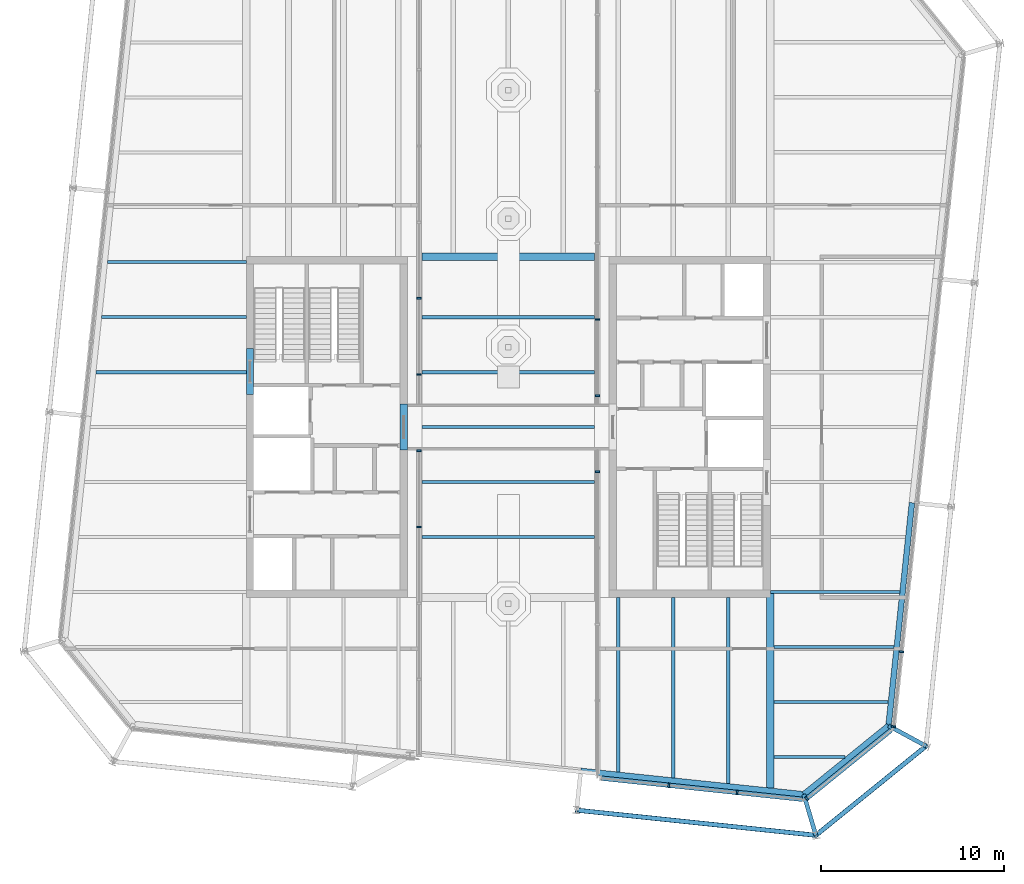
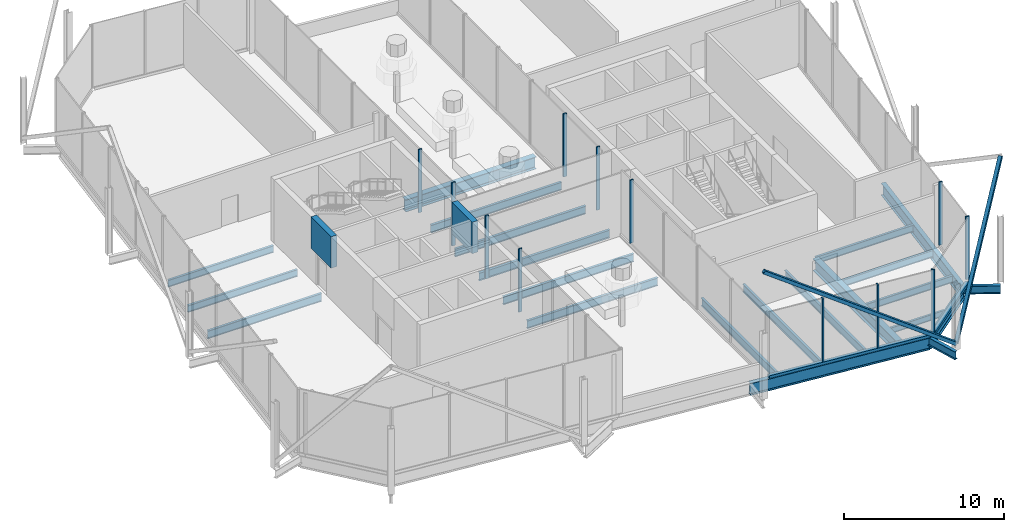
# One storey, part 4 of 14: 24 beams, 16 members, 5 elements without a shape of their own.
"""IFC4 building model written with IfcOpenShell, lengths in metres."""

from ifc_helpers import new_model, si_unit, direction, frame, origin, origin_2d, place, context, subcontext, project, spatial, rectangle, hollow_rectangle, i_section, extrude, material, layer, layer_set, material_profile, profile_set, type_object, element, aggregate, save


model = new_model("IFC4")

# Units and contexts
model_context = context("Model", 3, precision=1e-05, world=origin(), true_north=direction((0.0, 1.0)))
body_context = subcontext(model_context, "Body", "Model", "MODEL_VIEW")
ifc_project = project(units=[si_unit("LENGTHUNIT", "METRE"), si_unit("AREAUNIT", "SQUARE_METRE"), si_unit("VOLUMEUNIT", "CUBIC_METRE"), si_unit("PLANEANGLEUNIT", "RADIAN"), si_unit("MASSUNIT", "GRAM", prefix="KILO")], contexts=[model_context])

# Site, building, storey
site_placement = place(None, origin())
site = spatial("IfcSite", under=ifc_project, at=site_placement, CompositionType="ELEMENT")
building_placement = place(site_placement, origin())
building = spatial("IfcBuilding", under=site, at=building_placement, Name="Millrace Tower", CompositionType="ELEMENT")
storey_placement = place(building_placement, frame((0.0, 0.0, 342.10009765625)))
storey = spatial("IfcBuildingStorey", under=building, at=storey_placement, Name="L79", CompositionType="ELEMENT", Elevation=342.10009765625)

# Curtain wall, members
ifc_material_1 = material(Name="Aluminium and glass", Category="aluminium")
ifc_layer = layer(ifc_material_1, 0.25)
ifc_layer_set = layer_set([ifc_layer], Name="Aluminium and glass")
curtain_wall_type = type_object("IfcCurtainWallType", Name="CW-7 crown louvred enclosure", PredefinedType="NOTDEFINED", material=ifc_layer_set)
placement = place(storey_placement, origin())
curtain_wall_1 = element("IfcCurtainWall", 1, at=placement, inside=storey, type_object=curtain_wall_type, Name="Curtain wall CW-F01 L79", PredefinedType="NOTDEFINED")
ifc_material_2 = material(Name="Aluminium", Category="aluminium")
ifc_material_profile_1 = material_profile(ifc_material_2, rectangle(XDim=0.10009765625, YDim=0.25, at=origin_2d()))
ifc_profile_set_1 = profile_set([ifc_material_profile_1], Name="Aluminium")
member_type_1 = type_object("IfcMemberType", Name="CW-7 crown louvred enclosure mullion", PredefinedType="MULLION", material=ifc_profile_set_1)
member_1_placement = place(storey_placement, frame((-4.875, -5.451416015625, 0.199951171875), z_axis=(0.0, 0.0, 1.0), x_axis=(0.0, 1.0, 0.0)))
member_1 = element("IfcMember", 2, at=member_1_placement, type_object=member_type_1, Name="CW7 mullion CW-F01.4", PredefinedType="MULLION", context=body_context, shape_type="SweptSolid", body=[
    extrude(rectangle(XDim=0.10009765625, YDim=0.25, at=origin_2d()), origin(), (0.0, 0.0, 1.0), 4.800048828125),
])
member_2_placement = place(storey_placement, frame((-4.875, -1.292236328125, 0.199951171875), z_axis=(0.0, 0.0, 1.0), x_axis=(0.0, 1.0, 0.0)))
member_2 = element("IfcMember", 3, at=member_2_placement, type_object=member_type_1, Name="CW7 mullion CW-F01.5", PredefinedType="MULLION", context=body_context, shape_type="SweptSolid", body=[
    extrude(rectangle(XDim=0.10009765625, YDim=0.25, at=origin_2d()), origin(), (0.0, 0.0, 1.0), 4.800048828125),
])
member_3_placement = place(storey_placement, frame((-4.875, 2.866943359375, 0.199951171875), z_axis=(0.0, 0.0, 1.0), x_axis=(0.0, 1.0, 0.0)))
member_3 = element("IfcMember", 4, at=member_3_placement, type_object=member_type_1, Name="CW7 mullion CW-F01.6", PredefinedType="MULLION", context=body_context, shape_type="SweptSolid", body=[
    extrude(rectangle(XDim=0.10009765625, YDim=0.25, at=origin_2d()), origin(), (0.0, 0.0, 1.0), 4.800048828125),
])
member_4_placement = place(storey_placement, frame((-4.875, 7.026123046875, 0.199951171875), z_axis=(0.0, 0.0, 1.0), x_axis=(0.0, 1.0, 0.0)))
member_4 = element("IfcMember", 5, at=member_4_placement, type_object=member_type_1, Name="CW7 mullion CW-F01.7", PredefinedType="MULLION", context=body_context, shape_type="SweptSolid", body=[
    extrude(rectangle(XDim=0.10009765625, YDim=0.25, at=origin_2d()), origin(), (0.0, 0.0, 1.0), 4.800048828125),
])
aggregate(curtain_wall_1, [member_1, member_2, member_3, member_4])

curtain_wall_2 = element("IfcCurtainWall", 6, at=placement, inside=storey, type_object=curtain_wall_type, Name="Curtain wall CE-F01 L79", PredefinedType="NOTDEFINED")
member_5_placement = place(storey_placement, frame((4.875, 5.875, 0.199951171875), z_axis=(0.0, 0.0, 1.0), x_axis=(0.0, -1.0, 0.0)))
member_5 = element("IfcMember", 7, at=member_5_placement, type_object=member_type_1, Name="CW7 mullion CE-F01.6", PredefinedType="MULLION", context=body_context, shape_type="SweptSolid", body=[
    extrude(rectangle(XDim=0.10009765625, YDim=0.25, at=origin_2d()), origin(), (0.0, 0.0, 1.0), 4.800048828125),
])
member_6_placement = place(storey_placement, frame((4.875, 1.7158203125, 0.199951171875), z_axis=(0.0, 0.0, 1.0), x_axis=(0.0, -1.0, 0.0)))
member_6 = element("IfcMember", 8, at=member_6_placement, type_object=member_type_1, Name="CW7 mullion CE-F01.7", PredefinedType="MULLION", context=body_context, shape_type="SweptSolid", body=[
    extrude(rectangle(XDim=0.10009765625, YDim=0.25, at=origin_2d()), origin(), (0.0, 0.0, 1.0), 4.800048828125),
])
member_7_placement = place(storey_placement, frame((4.875, -2.443115234375, 0.199951171875), z_axis=(0.0, 0.0, 1.0), x_axis=(0.0, -1.0, 0.0)))
member_7 = element("IfcMember", 9, at=member_7_placement, type_object=member_type_1, Name="CW7 mullion CE-F01.8", PredefinedType="MULLION", context=body_context, shape_type="SweptSolid", body=[
    extrude(rectangle(XDim=0.10009765625, YDim=0.25, at=origin_2d()), origin(), (0.0, 0.0, 1.0), 4.800048828125),
])
aggregate(curtain_wall_2, [member_5, member_6, member_7])

curtain_wall_3 = element("IfcCurtainWall", 10, at=placement, inside=storey, type_object=curtain_wall_type, Name="Curtain wall CE-F02 L79", PredefinedType="NOTDEFINED")
member_8_placement = place(storey_placement, frame((8.76025390625, -19.55078125, 0.199951171875), z_axis=(0.0, 0.0, 1.0), x_axis=(0.994521900296, -0.104528416385, 0.0)))
member_8 = element("IfcMember", 11, at=member_8_placement, type_object=member_type_1, Name="CW7 mullion CE-F02.2", PredefinedType="MULLION", context=body_context, shape_type="SweptSolid", body=[
    extrude(rectangle(XDim=0.10009765625, YDim=0.25, at=origin_2d()), origin(), (0.0, 0.0, 1.0), 4.800048828125),
])
member_9_placement = place(storey_placement, frame((12.48388671875, -19.942138671875, 0.199951171875), z_axis=(0.0, 0.0, 1.0), x_axis=(0.994521900296, -0.104528416385, 0.0)))
member_9 = element("IfcMember", 12, at=member_9_placement, type_object=member_type_1, Name="CW7 mullion CE-F02.3", PredefinedType="MULLION", context=body_context, shape_type="SweptSolid", body=[
    extrude(rectangle(XDim=0.10009765625, YDim=0.25, at=origin_2d()), origin(), (0.0, 0.0, 1.0), 4.800048828125),
])

# Curtain wall, member
curtain_wall_4 = element("IfcCurtainWall", 13, at=placement, inside=storey, type_object=curtain_wall_type, Name="Curtain wall CE-F03 L79", PredefinedType="NOTDEFINED")
member_10_placement = place(storey_placement, frame((16.288330078125, -20.26953125, 0.199951171875), z_axis=(0.0, 0.0, 1.0), x_axis=(0.777146052237, 0.629320278945, 0.0)))
member_10 = element("IfcMember", 14, at=member_10_placement, type_object=member_type_1, Name="CW7 mullion CE-F03.1", PredefinedType="MULLION", context=body_context, shape_type="SweptSolid", body=[
    extrude(rectangle(XDim=0.10009765625, YDim=0.25, at=origin_2d()), origin(), (0.0, 0.0, 1.0), 4.800048828125),
])

# Curtain wall, members
curtain_wall_5 = element("IfcCurtainWall", 15, at=placement, inside=storey, type_object=curtain_wall_type, Name="Curtain wall CE-F04 L79", PredefinedType="NOTDEFINED")
member_11_placement = place(storey_placement, frame((21.0263671875, -16.34033203125, 0.199951171875), z_axis=(0.0, 0.0, 1.0), x_axis=(0.104528455196, 0.994521896217, 0.0)))
member_11 = element("IfcMember", 16, at=member_11_placement, type_object=member_type_1, Name="CW7 mullion CE-F04.1", PredefinedType="MULLION", context=body_context, shape_type="SweptSolid", body=[
    extrude(rectangle(XDim=0.10009765625, YDim=0.25, at=origin_2d()), origin(), (0.0, 0.0, 1.0), 4.800048828125),
])
member_12_placement = place(storey_placement, frame((21.454833984375, -12.2626953125, 0.199951171875), z_axis=(0.0, 0.0, 1.0), x_axis=(0.104528455196, 0.994521896217, 0.0)))
member_12 = element("IfcMember", 17, at=member_12_placement, type_object=member_type_1, Name="CW7 mullion CE-F04.2", PredefinedType="MULLION", context=body_context, shape_type="SweptSolid", body=[
    extrude(rectangle(XDim=0.10009765625, YDim=0.25, at=origin_2d()), origin(), (0.0, 0.0, 1.0), 4.800048828125),
])
aggregate(curtain_wall_5, [member_11, member_12])

# Member
ifc_material_3 = material(Name="Aluminium", Category="aluminium")
ifc_material_profile_2 = material_profile(ifc_material_3, rectangle(XDim=0.25, YDim=0.199951171875, at=origin_2d()))
ifc_profile_set_2 = profile_set([ifc_material_profile_2], Name="Aluminium")
member_type_2 = type_object("IfcMemberType", Name="CW-7 crown louvred enclosure transom", PredefinedType="USERDEFINED", material=ifc_profile_set_2)
member_13_placement = place(storey_placement, frame((5.08642578125, -19.16455078125, 0.099853515625), z_axis=(0.994520720761, -0.104539638301, 0.0), x_axis=(0.104539638301, 0.994520720761, 0.0)))
member_13 = element("IfcMember", 18, at=member_13_placement, type_object=member_type_2, Name="CW7 transom CE-F02.1", ObjectType="TRANSOM", PredefinedType="USERDEFINED", context=body_context, shape_type="SweptSolid", body=[
    extrude(rectangle(XDim=0.25, YDim=0.199951171875, at=origin_2d()), origin(), (0.0, 0.0, 1.0), 11.032470703125),
])

aggregate(curtain_wall_3, [member_8, member_9, member_13])

member_14_placement = place(storey_placement, frame((16.327392578125, -20.238037109375, 0.099853515625), z_axis=(0.77714915117, 0.629316452061, 0.0), x_axis=(-0.629316452061, 0.77714915117, 0.0)))
member_14 = element("IfcMember", 19, at=member_14_placement, type_object=member_type_2, Name="CW7 transom CE-F03.1", ObjectType="TRANSOM", PredefinedType="USERDEFINED", context=body_context, shape_type="SweptSolid", body=[
    extrude(rectangle(XDim=0.25, YDim=0.199951171875, at=origin_2d()), origin(), (0.0, 0.0, 1.0), 5.880859375),
])

aggregate(curtain_wall_4, [member_10, member_14])

# Beams
ifc_material_4 = material(Name="Concrete C60", Category="concrete")
ifc_material_profile_3 = material_profile(ifc_material_4, rectangle(XDim=0.39990234375, YDim=2.39990234375, at=origin_2d()))
ifc_profile_set_3 = profile_set([ifc_material_profile_3], Name="Concrete C60")
beam_type_1 = type_object("IfcBeamType", Name="Coupling beam 400 x 2400 Concrete C60, 1300 opening", PredefinedType="BEAM", material=ifc_profile_set_3)
for number, where, z_axis, x_axis, name in (
    (20, (-14.10009765625, 1.77001953125, 3.599853515625), (0.0, 1.0, 0.0), (-1.0, 0.0, 0.0), "Coupling beam W L79"),
    (21, (-5.699951171875, -1.260009765625, 3.599853515625), (0.0, 1.0, 0.0), (-1.0, 0.0, 0.0), "Coupling beam W L79"),
):
    element("IfcBeam", number, at=place(storey_placement, frame(where, z_axis=z_axis, x_axis=x_axis)), inside=storey, type_object=beam_type_1, Name=name, PredefinedType="BEAM", context=body_context, shape_type="SweptSolid", body=[
        extrude(rectangle(XDim=0.39990234375, YDim=2.39990234375, at=origin_2d()), origin(), (0.0, 0.0, 1.0), 2.52001953125),
    ])

# Members
ifc_material_5 = material(Name="Steel ASTM A500 Grade C", Category="steel")
ifc_material_profile_4 = material_profile(ifc_material_5, hollow_rectangle(XDim=0.25390625, YDim=0.25390625, WallThickness=0.009521484375, InnerFilletRadius=0.004638671875, OuterFilletRadius=0.014404296875, at=origin_2d()))
ifc_profile_set_4 = profile_set([ifc_material_profile_4], Name="Steel ASTM A500 Grade C")
member_type_3 = type_object("IfcMemberType", Name="Exoskeleton brace HSS10x10x3/8", PredefinedType="BRACE", material=ifc_profile_set_4)
member_15_placement = place(storey_placement, frame((16.78564453125, -22.279541015625, 0.39990234375), z_axis=(-0.814448569603, 0.085603983054, 0.573886300199), x_axis=(-0.104530865473, -0.994521642883, 0.0)))
element("IfcMember", 22, at=member_15_placement, inside=storey, type_object=member_type_3, Name="BRC-CROWN-L79-04", PredefinedType="BRACE", context=body_context, shape_type="SweptSolid", body=[
    extrude(hollow_rectangle(XDim=0.25390625, YDim=0.25390625, WallThickness=0.009521484375, InnerFilletRadius=0.004638671875, OuterFilletRadius=0.014404296875, at=origin_2d()), origin(), (0.0, 0.0, 1.0), 16.031005859375),
])
member_16_placement = place(storey_placement, frame((16.78564453125, -22.279541015625, 0.39990234375), z_axis=(0.500242752235, 0.405076402082, 0.765290988652), x_axis=(-0.629308952043, 0.777155224442, 0.0)))
element("IfcMember", 23, at=member_16_placement, inside=storey, type_object=member_type_3, Name="BRC-CROWN-L79-05", PredefinedType="BRACE", context=body_context, shape_type="SweptSolid", body=[
    extrude(hollow_rectangle(XDim=0.25390625, YDim=0.25390625, WallThickness=0.009521484375, InnerFilletRadius=0.004638671875, OuterFilletRadius=0.014404296875, at=origin_2d()), origin(), (0.0, 0.0, 1.0), 12.021484375),
])

# Beams
ifc_material_6 = material(Name="Steel ASTM A992 Grade 50", Category="steel")
ifc_material_profile_5 = material_profile(ifc_material_6, i_section(OverallWidth=0.15234375, OverallDepth=0.449462890625, WebThickness=0.007568359375, FlangeThickness=0.0107421875, FilletRadius=0.01025390625, at=origin_2d()))
ifc_profile_set_5 = profile_set([ifc_material_profile_5], Name="Steel ASTM A992 Grade 50")
beam_type_2 = type_object("IfcBeamType", Name="Floor beam W18x35", PredefinedType="JOIST", material=ifc_profile_set_5)
beam_1_placement = place(storey_placement, frame((14.509521484375, -18.0, -0.4248046875), z_axis=(1.0, 0.0, 0.0), x_axis=(0.0, 1.0, 0.0)))
element("IfcBeam", 24, at=beam_1_placement, inside=storey, type_object=beam_type_2, Name="BM-CROWN-L79-S1-S001", PredefinedType="JOIST", context=body_context, shape_type="SweptSolid", body=[
    extrude(i_section(OverallWidth=0.15234375, OverallDepth=0.449462890625, WebThickness=0.007568359375, FlangeThickness=0.0107421875, FilletRadius=0.01025390625, at=origin_2d()), origin(), (0.0, 0.0, 1.0), 3.87060546875),
])
ifc_material_7 = material(Name="Steel ASTM A992 Grade 50", Category="steel")
ifc_material_profile_6 = material_profile(ifc_material_7, i_section(OverallWidth=0.1650390625, OverallDepth=0.52587890625, WebThickness=0.0087890625, FlangeThickness=0.011474609375, FilletRadius=0.0126953125, at=origin_2d()))
ifc_profile_set_6 = profile_set([ifc_material_profile_6], Name="Steel ASTM A992 Grade 50")
beam_type_3 = type_object("IfcBeamType", Name="Floor beam W21x44", PredefinedType="JOIST", material=ifc_profile_set_6)
beam_2_placement = place(storey_placement, frame((14.509521484375, -15.0, -0.462890625), z_axis=(1.0, 0.0, 0.0), x_axis=(0.0, 1.0, 0.0)))
element("IfcBeam", 25, at=beam_2_placement, inside=storey, type_object=beam_type_3, Name="BM-CROWN-L79-S1-S003", PredefinedType="JOIST", context=body_context, shape_type="SweptSolid", body=[
    extrude(i_section(OverallWidth=0.1650390625, OverallDepth=0.52587890625, WebThickness=0.0087890625, FlangeThickness=0.011474609375, FilletRadius=0.0126953125, at=origin_2d()), origin(), (0.0, 0.0, 1.0), 6.222900390625),
])
beam_3_placement = place(storey_placement, frame((14.509521484375, -12.0, -0.462890625), z_axis=(1.0, 0.0, 0.0), x_axis=(0.0, 1.0, 0.0)))
element("IfcBeam", 26, at=beam_3_placement, inside=storey, type_object=beam_type_3, Name="BM-CROWN-L79-S1-S005", PredefinedType="JOIST", context=body_context, shape_type="SweptSolid", body=[
    extrude(i_section(OverallWidth=0.1650390625, OverallDepth=0.52587890625, WebThickness=0.0087890625, FlangeThickness=0.011474609375, FilletRadius=0.0126953125, at=origin_2d()), origin(), (0.0, 0.0, 1.0), 6.538330078125),
])
beam_4_placement = place(storey_placement, frame((14.300048828125, -9.0, -0.462890625), z_axis=(1.0, 0.0, 0.0), x_axis=(0.0, 1.0, 0.0)))
element("IfcBeam", 27, at=beam_4_placement, inside=storey, type_object=beam_type_3, Name="BM-CROWN-L79-S1-S007", PredefinedType="JOIST", context=body_context, shape_type="SweptSolid", body=[
    extrude(i_section(OverallWidth=0.1650390625, OverallDepth=0.52587890625, WebThickness=0.0087890625, FlangeThickness=0.011474609375, FilletRadius=0.0126953125, at=origin_2d()), origin(), (0.0, 0.0, 1.0), 7.06298828125),
])
beam_5_placement = place(storey_placement, frame((-22.19287109375, 6.0, -0.462890625), z_axis=(1.0, 0.0, 0.0), x_axis=(0.0, 1.0, 0.0)))
element("IfcBeam", 28, at=beam_5_placement, inside=storey, type_object=beam_type_3, Name="BM-CROWN-L79-S1-S021", PredefinedType="JOIST", context=body_context, shape_type="SweptSolid", body=[
    extrude(i_section(OverallWidth=0.1650390625, OverallDepth=0.52587890625, WebThickness=0.0087890625, FlangeThickness=0.011474609375, FilletRadius=0.0126953125, at=origin_2d()), origin(), (0.0, 0.0, 1.0), 7.892822265625),
])
beam_6_placement = place(storey_placement, frame((-21.87744140625, 9.0, -0.462890625), z_axis=(1.0, 0.0, 0.0), x_axis=(0.0, 1.0, 0.0)))
element("IfcBeam", 29, at=beam_6_placement, inside=storey, type_object=beam_type_3, Name="BM-CROWN-L79-S1-S023", PredefinedType="JOIST", context=body_context, shape_type="SweptSolid", body=[
    extrude(i_section(OverallWidth=0.1650390625, OverallDepth=0.52587890625, WebThickness=0.0087890625, FlangeThickness=0.011474609375, FilletRadius=0.0126953125, at=origin_2d()), origin(), (0.0, 0.0, 1.0), 7.577392578125),
])
ifc_material_8 = material(Name="Steel ASTM A992 Grade 50", Category="steel")
ifc_material_profile_7 = material_profile(ifc_material_8, i_section(OverallWidth=0.177978515625, OverallDepth=0.599365234375, WebThickness=0.010009765625, FlangeThickness=0.012939453125, FilletRadius=0.012939453125, at=origin_2d()))
ifc_profile_set_7 = profile_set([ifc_material_profile_7], Name="Steel ASTM A992 Grade 50")
beam_type_4 = type_object("IfcBeamType", Name="Floor beam W24x55", PredefinedType="JOIST", material=ifc_profile_set_7)
for number, where, z_axis, x_axis, name in (
    (30, (-4.699951171875, -6.0, -0.499755859375), (1.0, 0.0, 0.0), (0.0, 1.0, 0.0), "BM-CROWN-L79-S1-S008"),
    (31, (-4.699951171875, -3.0, -0.499755859375), (1.0, 0.0, 0.0), (0.0, 1.0, 0.0), "BM-CROWN-L79-S1-S011"),
    (32, (-4.699951171875, 0.0, -0.499755859375), (1.0, 0.0, 0.0), (0.0, 1.0, 0.0), "BM-CROWN-L79-S1-S014"),
    (33, (-4.699951171875, 3.0, -0.499755859375), (1.0, 0.0, 0.0), (0.0, 1.0, 0.0), "BM-CROWN-L79-S1-S017"),
):
    element("IfcBeam", number, at=place(storey_placement, frame(where, z_axis=z_axis, x_axis=x_axis)), inside=storey, type_object=beam_type_4, Name=name, PredefinedType="JOIST", context=body_context, shape_type="SweptSolid", body=[
        extrude(i_section(OverallWidth=0.177978515625, OverallDepth=0.599365234375, WebThickness=0.010009765625, FlangeThickness=0.012939453125, FilletRadius=0.012939453125, at=origin_2d()), origin(), (0.0, 0.0, 1.0), 9.39990234375),
    ])
beam_7_placement = place(storey_placement, frame((-22.508056640625, 3.0, -0.499755859375), z_axis=(1.0, 0.0, 0.0), x_axis=(0.0, 1.0, 0.0)))
element("IfcBeam", 34, at=beam_7_placement, inside=storey, type_object=beam_type_4, Name="BM-CROWN-L79-S1-S018", PredefinedType="JOIST", context=body_context, shape_type="SweptSolid", body=[
    extrude(i_section(OverallWidth=0.177978515625, OverallDepth=0.599365234375, WebThickness=0.010009765625, FlangeThickness=0.012939453125, FilletRadius=0.012939453125, at=origin_2d()), origin(), (0.0, 0.0, 1.0), 8.2080078125),
])
beam_8_placement = place(storey_placement, frame((-4.699951171875, 6.0, -0.499755859375), z_axis=(1.0, 0.0, 0.0), x_axis=(0.0, 1.0, 0.0)))
element("IfcBeam", 35, at=beam_8_placement, inside=storey, type_object=beam_type_4, Name="BM-CROWN-L79-S1-S020", PredefinedType="JOIST", context=body_context, shape_type="SweptSolid", body=[
    extrude(i_section(OverallWidth=0.177978515625, OverallDepth=0.599365234375, WebThickness=0.010009765625, FlangeThickness=0.012939453125, FilletRadius=0.012939453125, at=origin_2d()), origin(), (0.0, 0.0, 1.0), 9.39990234375),
])
beam_9_placement = place(storey_placement, frame((6.0, -18.825927734375, -0.499755859375), z_axis=(0.0, 1.0, 0.0), x_axis=(-1.0, 0.0, 0.0)))
element("IfcBeam", 36, at=beam_9_placement, inside=storey, type_object=beam_type_4, Name="BM-CROWN-L79-S1-S049", PredefinedType="JOIST", context=body_context, shape_type="SweptSolid", body=[
    extrude(i_section(OverallWidth=0.177978515625, OverallDepth=0.599365234375, WebThickness=0.010009765625, FlangeThickness=0.012939453125, FilletRadius=0.012939453125, at=origin_2d()), origin(), (0.0, 0.0, 1.0), 9.52587890625),
])
beam_10_placement = place(storey_placement, frame((9.0, -19.14111328125, -0.499755859375), z_axis=(0.0, 1.0, 0.0), x_axis=(-1.0, 0.0, 0.0)))
element("IfcBeam", 37, at=beam_10_placement, inside=storey, type_object=beam_type_4, Name="BM-CROWN-L79-S1-S051", PredefinedType="JOIST", context=body_context, shape_type="SweptSolid", body=[
    extrude(i_section(OverallWidth=0.177978515625, OverallDepth=0.599365234375, WebThickness=0.010009765625, FlangeThickness=0.012939453125, FilletRadius=0.012939453125, at=origin_2d()), origin(), (0.0, 0.0, 1.0), 9.841064453125),
])
ifc_material_9 = material(Name="Steel ASTM A992 Grade 50", Category="steel")
ifc_material_profile_8 = material_profile(ifc_material_9, i_section(OverallWidth=0.1787109375, OverallDepth=0.60205078125, WebThickness=0.010986328125, FlangeThickness=0.014892578125, FilletRadius=0.0126953125, at=origin_2d()))
ifc_profile_set_8 = profile_set([ifc_material_profile_8], Name="Steel ASTM A992 Grade 50")
beam_type_5 = type_object("IfcBeamType", Name="Floor beam W24x62", PredefinedType="JOIST", material=ifc_profile_set_8)
beam_11_placement = place(storey_placement, frame((12.0, -19.45654296875, -0.5009765625), z_axis=(0.0, 1.0, 0.0), x_axis=(-1.0, 0.0, 0.0)))
element("IfcBeam", 38, at=beam_11_placement, inside=storey, type_object=beam_type_5, Name="BM-CROWN-L79-S1-S053", PredefinedType="JOIST", context=body_context, shape_type="SweptSolid", body=[
    extrude(i_section(OverallWidth=0.1787109375, OverallDepth=0.60205078125, WebThickness=0.010986328125, FlangeThickness=0.014892578125, FilletRadius=0.0126953125, at=origin_2d()), origin(), (0.0, 0.0, 1.0), 10.156494140625),
])
ifc_material_10 = material(Name="Steel ASTM A992 Grade 50", Category="steel")
ifc_material_profile_9 = material_profile(ifc_material_10, i_section(OverallWidth=0.419189453125, OverallDepth=0.927001953125, WebThickness=0.019287109375, FlangeThickness=0.031982421875, FilletRadius=0.024169921875, at=origin_2d()))
ifc_profile_set_9 = profile_set([ifc_material_profile_9], Name="Steel ASTM A992 Grade 50")
beam_type_6 = type_object("IfcBeamType", Name="Girder short span W36x231", PredefinedType="BEAM", material=ifc_profile_set_9)
beam_12_placement = place(storey_placement, frame((14.300048828125, -19.6982421875, -0.66357421875), z_axis=(0.0, 1.0, 0.0), x_axis=(-1.0, 0.0, 0.0)))
element("IfcBeam", 39, at=beam_12_placement, inside=storey, type_object=beam_type_6, Name="BM-CROWN-L79-S1-G057", PredefinedType="BEAM", context=body_context, shape_type="SweptSolid", body=[
    extrude(i_section(OverallWidth=0.419189453125, OverallDepth=0.927001953125, WebThickness=0.019287109375, FlangeThickness=0.031982421875, FilletRadius=0.024169921875, at=origin_2d()), origin(), (0.0, 0.0, 1.0), 10.6142578125),
])
beam_13_placement = place(storey_placement, frame((-4.699951171875, 9.300048828125, -0.66357421875), z_axis=(1.0, 0.0, 0.0), x_axis=(0.0, 1.0, 0.0)))
element("IfcBeam", 40, at=beam_13_placement, inside=storey, type_object=beam_type_6, Name="BM-CROWN-L79-S1-G058", PredefinedType="BEAM", context=body_context, shape_type="SweptSolid", body=[
    extrude(i_section(OverallWidth=0.419189453125, OverallDepth=0.927001953125, WebThickness=0.019287109375, FlangeThickness=0.031982421875, FilletRadius=0.024169921875, at=origin_2d()), origin(), (0.0, 0.0, 1.0), 9.39990234375),
])
ifc_material_11 = material(Name="Steel ASTM A992 Grade 50", Category="steel")
ifc_material_profile_10 = material_profile(ifc_material_11, i_section(OverallWidth=0.23046875, OverallDepth=0.6171875, WebThickness=0.01318359375, FlangeThickness=0.022216796875, FilletRadius=0.012939453125, at=origin_2d()))
ifc_profile_set_10 = profile_set([ifc_material_profile_10], Name="Steel ASTM A992 Grade 50")
beam_type_7 = type_object("IfcBeamType", Name="Link beam W24x94", PredefinedType="BEAM", material=ifc_profile_set_10)
for number, where, z_axis, x_axis, name in (
    (41, (20.750732421875, -16.297607421875, -0.5087890625), (0.87881453358, -0.477163510307, 0.0), (0.477163510307, 0.87881453358, 0.0), "LNK-CROWN-L79-S1-11"),
    (42, (16.123779296875, -20.04443359375, -0.5087890625), (0.283934988541, -0.958843533785, 0.0), (0.958843533785, 0.283934988541, 0.0), "LNK-CROWN-L79-S1-12"),
):
    element("IfcBeam", number, at=place(storey_placement, frame(where, z_axis=z_axis, x_axis=x_axis)), inside=storey, type_object=beam_type_7, Name=name, PredefinedType="BEAM", context=body_context, shape_type="SweptSolid", body=[
        extrude(i_section(OverallWidth=0.23046875, OverallDepth=0.6171875, WebThickness=0.01318359375, FlangeThickness=0.022216796875, FilletRadius=0.012939453125, at=origin_2d()), origin(), (0.0, 0.0, 1.0), 2.3310546875),
    ])
ifc_material_12 = material(Name="Steel ASTM A992 Grade 50", Category="steel")
ifc_material_profile_11 = material_profile(ifc_material_12, i_section(OverallWidth=0.307373046875, OverallDepth=0.927001953125, WebThickness=0.01953125, FlangeThickness=0.031982421875, FilletRadius=0.01904296875, at=origin_2d()))
ifc_profile_set_11 = profile_set([ifc_material_profile_11], Name="Steel ASTM A992 Grade 50")
beam_type_8 = type_object("IfcBeamType", Name="Ring beam medium span W36x194", PredefinedType="SPANDREL", material=ifc_profile_set_11)
for number, where, z_axis, x_axis, name in (
    (43, (22.02978515625, -4.128173828125, -0.66357421875), (-0.104527955888, -0.994521948696, 0.0), (0.994521948696, -0.104527955888, 0.0), "RNG-CROWN-L79-S1-10"),
    (44, (16.123779296875, -20.04443359375, -0.66357421875), (-0.994521948696, 0.104527955888, 0.0), (-0.104527955888, -0.994521948696, 0.0), "RNG-CROWN-L79-S1-12"),
):
    element("IfcBeam", number, at=place(storey_placement, frame(where, z_axis=z_axis, x_axis=x_axis)), inside=storey, type_object=beam_type_8, Name=name, PredefinedType="SPANDREL", context=body_context, shape_type="SweptSolid", body=[
        extrude(i_section(OverallWidth=0.307373046875, OverallDepth=0.927001953125, WebThickness=0.01953125, FlangeThickness=0.031982421875, FilletRadius=0.01904296875, at=origin_2d()), origin(), (0.0, 0.0, 1.0), 12.236572265625),
    ])
ifc_material_13 = material(Name="Steel ASTM A992 Grade 50", Category="steel")
ifc_material_profile_12 = material_profile(ifc_material_13, i_section(OverallWidth=0.307373046875, OverallDepth=0.927001953125, WebThickness=0.01953125, FlangeThickness=0.031982421875, FilletRadius=0.01904296875, at=origin_2d()))
ifc_profile_set_12 = profile_set([ifc_material_profile_12], Name="Steel ASTM A992 Grade 50")
beam_type_9 = type_object("IfcBeamType", Name="Ring beam short span W36x194", PredefinedType="SPANDREL", material=ifc_profile_set_12)
beam_14_placement = place(storey_placement, frame((20.750732421875, -16.297607421875, -0.66357421875), z_axis=(-0.777146502883, -0.629319722443, 0.0), x_axis=(0.629319722443, -0.777146502883, 0.0)))
element("IfcBeam", 45, at=beam_14_placement, inside=storey, type_object=beam_type_9, Name="RNG-CROWN-L79-S1-11", PredefinedType="SPANDREL", context=body_context, shape_type="SweptSolid", body=[
    extrude(i_section(OverallWidth=0.307373046875, OverallDepth=0.927001953125, WebThickness=0.01953125, FlangeThickness=0.031982421875, FilletRadius=0.01904296875, at=origin_2d()), origin(), (0.0, 0.0, 1.0), 5.953857421875),
])

save(model, "model.ifc")
